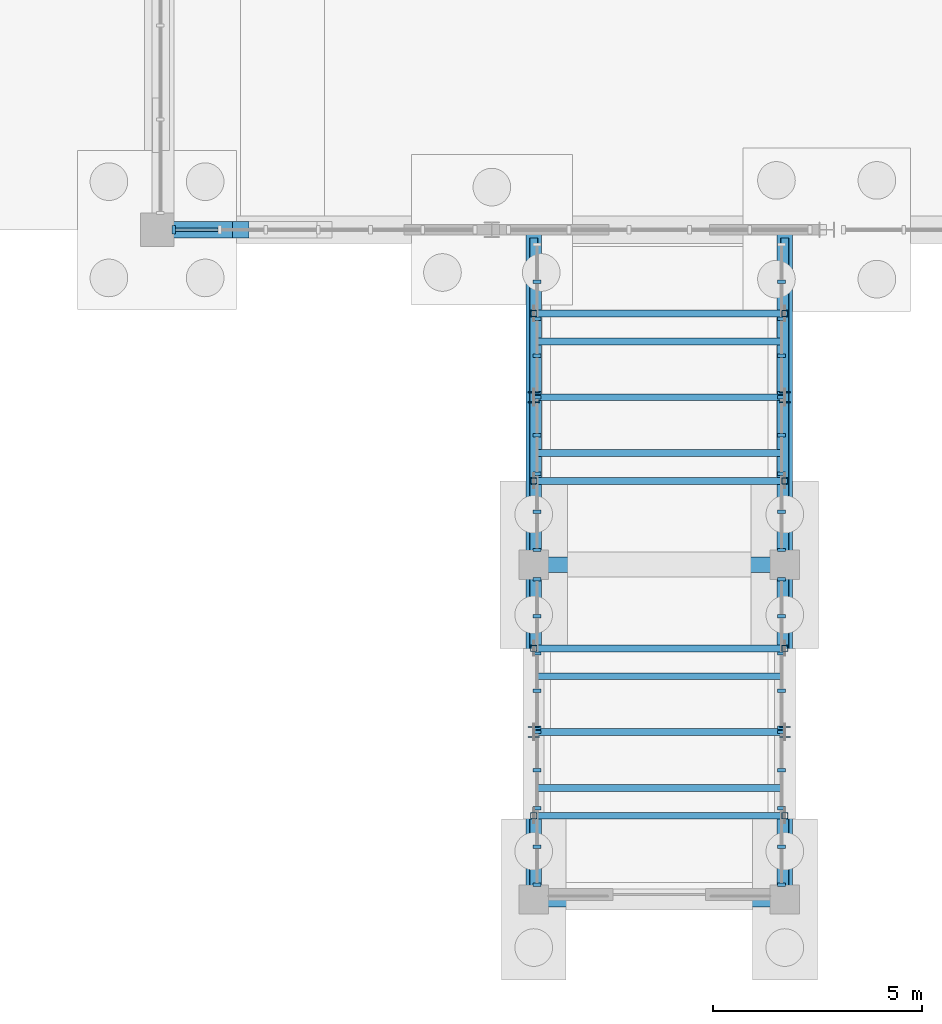
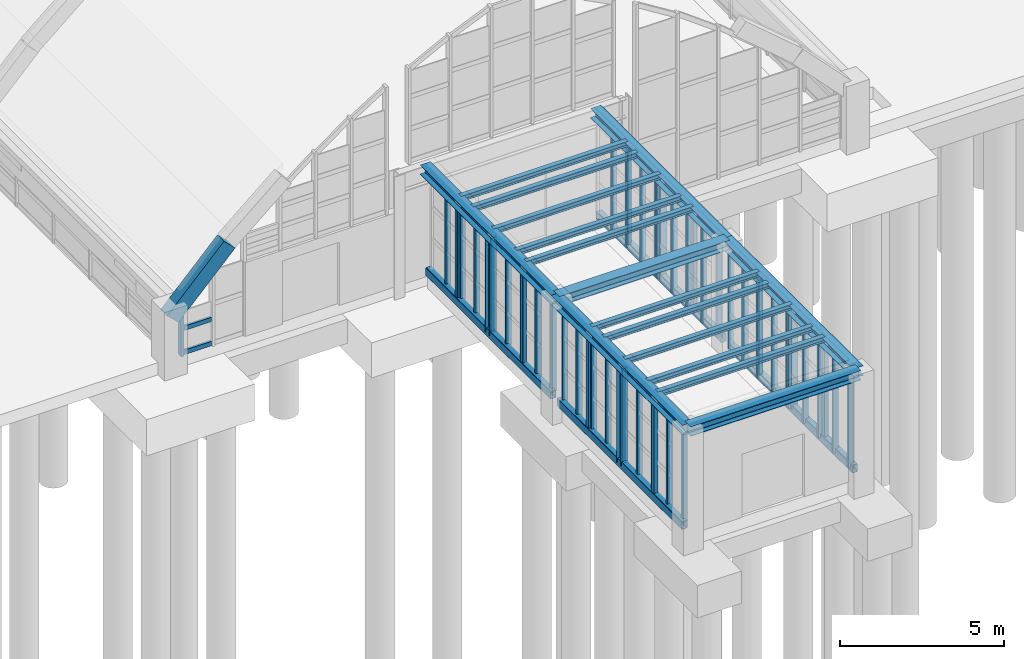
# One storey, part 33 of 129: 63 members, 11 beams, 9 elements without a shape of their own.
"""IFC4 building model written with IfcOpenShell, lengths in metres."""

from ifc_helpers import new_model, si_unit, direction, frame, origin, origin_2d, place, context, subcontext, project, spatial, rectangle, hollow_rectangle, i_section, extrude, material, layer, layer_set, material_profile, profile_set, type_object, element, aggregate, save


model = new_model("IFC4")

# Units and contexts
model_context = context("Model", 3, precision=1e-05, world=origin(), true_north=direction((0.0, 1.0)))
body_context = subcontext(model_context, "Body", "Model", "MODEL_VIEW")
ifc_project = project(units=[si_unit("LENGTHUNIT", "METRE"), si_unit("AREAUNIT", "SQUARE_METRE"), si_unit("VOLUMEUNIT", "CUBIC_METRE"), si_unit("PLANEANGLEUNIT", "RADIAN"), si_unit("MASSUNIT", "GRAM", prefix="KILO")], contexts=[model_context])

# Site, building, storey
site_placement = place(None, origin())
site = spatial("IfcSite", under=ifc_project, at=site_placement, CompositionType="ELEMENT")
building_placement = place(site_placement, origin())
building = spatial("IfcBuilding", under=site, at=building_placement, Name="Sitalva Quay Ferry Terminal", CompositionType="ELEMENT")
storey_placement = place(building_placement, origin())
storey = spatial("IfcBuildingStorey", under=building, at=storey_placement, Name="L01", CompositionType="ELEMENT", Elevation=0.0)

# Beams
ifc_material_1 = material(Name="Concrete C40/50", Category="concrete")
ifc_material_profile_1 = material_profile(ifc_material_1, rectangle(XDim=0.39990234375, YDim=0.550048828125, at=origin_2d()), Name="RC400x550")
ifc_profile_set_1 = profile_set([ifc_material_profile_1], Name="Concrete C40/50")
beam_type_1 = type_object("IfcBeamType", Name="Beam_Arch_RC400x550", PredefinedType="BEAM", material=ifc_profile_set_1)
beam_placement = place(storey_placement, frame((8.0, 6.0, 1.594482421875), z_axis=(0.693983482825, 0.0, 0.719990920475), x_axis=(0.0, 1.0, 0.0)))
element("IfcBeam", 1, at=beam_placement, inside=storey, type_object=beam_type_1, Name="Vault V2 transverse arch rib 1.1", PredefinedType="BEAM", context=body_context, shape_type="SweptSolid", body=[
    extrude(rectangle(XDim=0.39990234375, YDim=0.550048828125, at=origin_2d()), origin(), (0.0, 0.0, 1.0), 2.8818359375),
])
ifc_material_2 = material(Name="Structural Steel S355JR", Category="steel")
ifc_material_profile_2 = material_profile(ifc_material_2, i_section(OverallWidth=0.368896484375, OverallDepth=0.35595703125, WebThickness=0.01123046875, FlangeThickness=0.01806640625, FilletRadius=0.014892578125, at=origin_2d()), Name="W360x134")
ifc_profile_set_2 = profile_set([ifc_material_profile_2], Name="Structural Steel S355JR")
beam_type_2 = type_object("IfcBeamType", Name="Beam_W360x134", PredefinedType="BEAM", material=ifc_profile_set_2)
for number, where, z_axis, x_axis, name in (
    (2, (17.0, -10.0, 3.951904296875), (1.0, 0.0, 0.0), (0.0, 1.0, 0.0), "L01 Primary X girder 0005"),
    (3, (17.0, -2.0, 3.951904296875), (1.0, 0.0, 0.0), (0.0, 1.0, 0.0), "L01 Primary X girder 0006"),
):
    element("IfcBeam", number, at=place(storey_placement, frame(where, z_axis=z_axis, x_axis=x_axis)), inside=storey, type_object=beam_type_2, Name=name, PredefinedType="BEAM", context=body_context, shape_type="SweptSolid", body=[
        extrude(i_section(OverallWidth=0.368896484375, OverallDepth=0.35595703125, WebThickness=0.01123046875, FlangeThickness=0.01806640625, FilletRadius=0.014892578125, at=origin_2d()), origin(), (0.0, 0.0, 1.0), 6.0),
    ])
for number, where, z_axis, x_axis, name in (
    (4, (17.0, -10.0, 3.951904296875), (0.0, 1.0, 0.0), (-1.0, 0.0, 0.0), "L01 Primary Y girder 0007"),
    (5, (17.0, -2.0, 3.951904296875), (0.0, 1.0, 0.0), (-1.0, 0.0, 0.0), "L01 Primary Y girder 0008"),
    (6, (23.0, -10.0, 3.951904296875), (0.0, 1.0, 0.0), (-1.0, 0.0, 0.0), "L01 Primary Y girder 0009"),
    (7, (23.0, -2.0, 3.951904296875), (0.0, 1.0, 0.0), (-1.0, 0.0, 0.0), "L01 Primary Y girder 0010"),
):
    element("IfcBeam", number, at=place(storey_placement, frame(where, z_axis=z_axis, x_axis=x_axis)), inside=storey, type_object=beam_type_2, Name=name, PredefinedType="BEAM", context=body_context, shape_type="SweptSolid", body=[
        extrude(i_section(OverallWidth=0.368896484375, OverallDepth=0.35595703125, WebThickness=0.01123046875, FlangeThickness=0.01806640625, FilletRadius=0.014892578125, at=origin_2d()), origin(), (0.0, 0.0, 1.0), 8.0),
    ])

# Members
ifc_material_3 = material(Name="Structural Steel S355JR", Category="steel")
ifc_material_profile_3 = material_profile(ifc_material_3, hollow_rectangle(XDim=0.199951171875, YDim=0.300048828125, WallThickness=0.012451171875, InnerFilletRadius=0.012451171875, OuterFilletRadius=0.02490234375, at=origin_2d()), Name="RHS300x200x12.5")
ifc_profile_set_3 = profile_set([ifc_material_profile_3], Name="Structural Steel S355JR")
member_type_1 = type_object("IfcMemberType", Name="Chord_RHS300x200", PredefinedType="CHORD", material=ifc_profile_set_3)
for number, where, z_axis, x_axis, name in (
    (8, (17.0, -9.800048828125, 0.25), (0.0, 1.0, 0.0), (-1.0, 0.0, 0.0), "Boarding bridge BB1 bottom chord W1"),
    (9, (17.0, -1.800048828125, 0.25), (0.0, 1.0, 0.0), (-1.0, 0.0, 0.0), "Boarding bridge BB1 bottom chord W2"),
    (10, (23.0, -9.800048828125, 0.25), (0.0, 1.0, 0.0), (-1.0, 0.0, 0.0), "Boarding bridge BB1 bottom chord E1"),
    (11, (23.0, -1.800048828125, 0.25), (0.0, 1.0, 0.0), (-1.0, 0.0, 0.0), "Boarding bridge BB1 bottom chord E2"),
):
    element("IfcMember", number, at=place(storey_placement, frame(where, z_axis=z_axis, x_axis=x_axis)), inside=storey, type_object=member_type_1, Name=name, PredefinedType="CHORD", context=body_context, shape_type="SweptSolid", body=[
        extrude(hollow_rectangle(XDim=0.199951171875, YDim=0.300048828125, WallThickness=0.012451171875, InnerFilletRadius=0.012451171875, OuterFilletRadius=0.02490234375, at=origin_2d()), origin(), (0.0, 0.0, 1.0), 7.60009765625),
    ])
ifc_material_4 = material(Name="Structural Steel S355JR", Category="steel")
ifc_material_profile_4 = material_profile(ifc_material_4, i_section(OverallWidth=0.25390625, OverallDepth=0.2529296875, WebThickness=0.008544921875, FlangeThickness=0.01416015625, FilletRadius=0.011962890625, at=origin_2d()), Name="W250x73")
ifc_profile_set_4 = profile_set([ifc_material_profile_4], Name="Structural Steel S355JR")
member_type_2 = type_object("IfcMemberType", Name="Chord_W250x73", PredefinedType="CHORD", material=ifc_profile_set_4)
for number, where, z_axis, x_axis, name in (
    (12, (17.0, -6.0, 0.25), (0.0, 0.0, 1.0), (1.0, 0.0, 0.0), "Boarding bridge BB1 post W1"),
    (13, (17.0, 2.0, 0.25), (0.0, 0.0, 1.0), (1.0, 0.0, 0.0), "Boarding bridge BB1 post W2"),
    (14, (23.0, -6.0, 0.25), (0.0, 0.0, 1.0), (1.0, 0.0, 0.0), "Boarding bridge BB1 post E1"),
    (15, (23.0, 2.0, 0.25), (0.0, 0.0, 1.0), (1.0, 0.0, 0.0), "Boarding bridge BB1 post E2"),
):
    element("IfcMember", number, at=place(storey_placement, frame(where, z_axis=z_axis, x_axis=x_axis)), inside=storey, type_object=member_type_2, Name=name, PredefinedType="CHORD", context=body_context, shape_type="SweptSolid", body=[
        extrude(i_section(OverallWidth=0.25390625, OverallDepth=0.2529296875, WebThickness=0.008544921875, FlangeThickness=0.01416015625, FilletRadius=0.011962890625, at=origin_2d()), origin(), (0.0, 0.0, 1.0), 3.530029296875),
    ])

# Beams
ifc_material_5 = material(Name="Structural Steel S355JR", Category="steel")
ifc_material_profile_5 = material_profile(ifc_material_5, i_section(OverallWidth=0.1650390625, OverallDepth=0.200927734375, WebThickness=0.006103515625, FlangeThickness=0.01025390625, FilletRadius=0.010009765625, at=origin_2d()), Name="W200x36")
ifc_profile_set_5 = profile_set([ifc_material_profile_5], Name="Structural Steel S355JR")
beam_type_3 = type_object("IfcBeamType", Name="Joist_W200x36", PredefinedType="JOIST", material=ifc_profile_set_5)
for number, where, z_axis, x_axis, name in (
    (16, (17.10009765625, -7.333251953125, 4.029541015625), (1.0, 0.0, 0.0), (0.0, 1.0, 0.0), "L01 Secondary joist 0011"),
    (17, (17.10009765625, -4.666748046875, 4.029541015625), (1.0, 0.0, 0.0), (0.0, 1.0, 0.0), "L01 Secondary joist 0012"),
    (18, (17.10009765625, 0.666748046875, 4.029541015625), (1.0, 0.0, 0.0), (0.0, 1.0, 0.0), "L01 Secondary joist 0013"),
    (19, (17.10009765625, 3.333251953125, 4.029541015625), (1.0, 0.0, 0.0), (0.0, 1.0, 0.0), "L01 Secondary joist 0014"),
):
    element("IfcBeam", number, at=place(storey_placement, frame(where, z_axis=z_axis, x_axis=x_axis)), inside=storey, type_object=beam_type_3, Name=name, PredefinedType="JOIST", context=body_context, shape_type="SweptSolid", body=[
        extrude(i_section(OverallWidth=0.1650390625, OverallDepth=0.200927734375, WebThickness=0.006103515625, FlangeThickness=0.01025390625, FilletRadius=0.010009765625, at=origin_2d()), origin(), (0.0, 0.0, 1.0), 5.7998046875),
    ])

# Curtain wall, members
ifc_material_6 = material(Name="Anodised Aluminium & Low-E Glazing", Category="aluminium")
ifc_layer_1 = layer(ifc_material_6, 0.159912109375)
ifc_layer_set_1 = layer_set([ifc_layer_1], Name="Anodised Aluminium & Low-E Glazing")
curtain_wall_type_1 = type_object("IfcCurtainWallType", Name="CW_Bridge_Glazed", PredefinedType="USERDEFINED", material=ifc_layer_set_1)
curtain_wall_1_placement = place(storey_placement, origin())
curtain_wall_1 = element("IfcCurtainWall", 20, at=curtain_wall_1_placement, inside=storey, type_object=curtain_wall_type_1, Name="Boarding bridge BB1 W1 side glazing (CW-L01-033)", ObjectType="CURTAIN_WALL", PredefinedType="USERDEFINED")
ifc_material_7 = material(Name="Anodised Aluminium 6063-T6", Category="aluminium")
ifc_material_profile_6 = material_profile(ifc_material_7, rectangle(XDim=0.080078125, YDim=0.18505859375, at=origin_2d()), Name="ALU80x185")
ifc_profile_set_6 = profile_set([ifc_material_profile_6], Name="Anodised Aluminium 6063-T6")
member_type_3 = type_object("IfcMemberType", Name="Mullion_Alu_80x185", PredefinedType="MULLION", material=ifc_profile_set_6)
member_1_placement = place(storey_placement, frame((17.080078125, -9.64990234375, 0.25), z_axis=(0.0, 0.0, 1.0), x_axis=(0.0, 1.0, 0.0)))
member_1 = element("IfcMember", 21, at=member_1_placement, type_object=member_type_3, Name="CW-L01-033-M0", PredefinedType="MULLION", context=body_context, shape_type="SweptSolid", body=[
    extrude(rectangle(XDim=0.080078125, YDim=0.18505859375, at=origin_2d()), origin(), (0.0, 0.0, 1.0), 3.530029296875),
])
member_2_placement = place(storey_placement, frame((17.080078125, -8.737548828125, 0.25), z_axis=(0.0, 0.0, 1.0), x_axis=(0.0, 1.0, 0.0)))
member_2 = element("IfcMember", 22, at=member_2_placement, type_object=member_type_3, Name="CW-L01-033-M1", PredefinedType="MULLION", context=body_context, shape_type="SweptSolid", body=[
    extrude(rectangle(XDim=0.080078125, YDim=0.18505859375, at=origin_2d()), origin(), (0.0, 0.0, 1.0), 3.530029296875),
])
member_3_placement = place(storey_placement, frame((17.080078125, -7.824951171875, 0.25), z_axis=(0.0, 0.0, 1.0), x_axis=(0.0, 1.0, 0.0)))
member_3 = element("IfcMember", 23, at=member_3_placement, type_object=member_type_3, Name="CW-L01-033-M2", PredefinedType="MULLION", context=body_context, shape_type="SweptSolid", body=[
    extrude(rectangle(XDim=0.080078125, YDim=0.18505859375, at=origin_2d()), origin(), (0.0, 0.0, 1.0), 3.530029296875),
])
member_4_placement = place(storey_placement, frame((17.080078125, -6.91259765625, 0.25), z_axis=(0.0, 0.0, 1.0), x_axis=(0.0, 1.0, 0.0)))
member_4 = element("IfcMember", 24, at=member_4_placement, type_object=member_type_3, Name="CW-L01-033-M3", PredefinedType="MULLION", context=body_context, shape_type="SweptSolid", body=[
    extrude(rectangle(XDim=0.080078125, YDim=0.18505859375, at=origin_2d()), origin(), (0.0, 0.0, 1.0), 3.530029296875),
])
member_5_placement = place(storey_placement, frame((17.080078125, -6.0, 0.25), z_axis=(0.0, 0.0, 1.0), x_axis=(0.0, 1.0, 0.0)))
member_5 = element("IfcMember", 25, at=member_5_placement, type_object=member_type_3, Name="CW-L01-033-M4", PredefinedType="MULLION", context=body_context, shape_type="SweptSolid", body=[
    extrude(rectangle(XDim=0.080078125, YDim=0.18505859375, at=origin_2d()), origin(), (0.0, 0.0, 1.0), 3.530029296875),
])
aggregate(curtain_wall_1, [member_1, member_2, member_3, member_4, member_5])

curtain_wall_2_placement = place(storey_placement, origin())
curtain_wall_2 = element("IfcCurtainWall", 26, at=curtain_wall_2_placement, inside=storey, type_object=curtain_wall_type_1, Name="Boarding bridge BB1 W2 side glazing (CW-L01-034)", ObjectType="CURTAIN_WALL", PredefinedType="USERDEFINED")
member_6_placement = place(storey_placement, frame((17.080078125, -5.89990234375, 0.25), z_axis=(0.0, 0.0, 1.0), x_axis=(0.0, 1.0, 0.0)))
member_6 = element("IfcMember", 27, at=member_6_placement, type_object=member_type_3, Name="CW-L01-034-M0", PredefinedType="MULLION", context=body_context, shape_type="SweptSolid", body=[
    extrude(rectangle(XDim=0.080078125, YDim=0.18505859375, at=origin_2d()), origin(), (0.0, 0.0, 1.0), 3.530029296875),
])
member_7_placement = place(storey_placement, frame((17.080078125, -5.012451171875, 0.25), z_axis=(0.0, 0.0, 1.0), x_axis=(0.0, 1.0, 0.0)))
member_7 = element("IfcMember", 28, at=member_7_placement, type_object=member_type_3, Name="CW-L01-034-M1", PredefinedType="MULLION", context=body_context, shape_type="SweptSolid", body=[
    extrude(rectangle(XDim=0.080078125, YDim=0.18505859375, at=origin_2d()), origin(), (0.0, 0.0, 1.0), 3.530029296875),
])
member_8_placement = place(storey_placement, frame((17.080078125, -4.125, 0.25), z_axis=(0.0, 0.0, 1.0), x_axis=(0.0, 1.0, 0.0)))
member_8 = element("IfcMember", 29, at=member_8_placement, type_object=member_type_3, Name="CW-L01-034-M2", PredefinedType="MULLION", context=body_context, shape_type="SweptSolid", body=[
    extrude(rectangle(XDim=0.080078125, YDim=0.18505859375, at=origin_2d()), origin(), (0.0, 0.0, 1.0), 3.530029296875),
])
member_9_placement = place(storey_placement, frame((17.080078125, -3.237548828125, 0.25), z_axis=(0.0, 0.0, 1.0), x_axis=(0.0, 1.0, 0.0)))
member_9 = element("IfcMember", 30, at=member_9_placement, type_object=member_type_3, Name="CW-L01-034-M3", PredefinedType="MULLION", context=body_context, shape_type="SweptSolid", body=[
    extrude(rectangle(XDim=0.080078125, YDim=0.18505859375, at=origin_2d()), origin(), (0.0, 0.0, 1.0), 3.530029296875),
])
member_10_placement = place(storey_placement, frame((17.080078125, -2.35009765625, 0.25), z_axis=(0.0, 0.0, 1.0), x_axis=(0.0, 1.0, 0.0)))
member_10 = element("IfcMember", 31, at=member_10_placement, type_object=member_type_3, Name="CW-L01-034-M4", PredefinedType="MULLION", context=body_context, shape_type="SweptSolid", body=[
    extrude(rectangle(XDim=0.080078125, YDim=0.18505859375, at=origin_2d()), origin(), (0.0, 0.0, 1.0), 3.530029296875),
])
aggregate(curtain_wall_2, [member_6, member_7, member_8, member_9, member_10])

curtain_wall_3_placement = place(storey_placement, origin())
curtain_wall_3 = element("IfcCurtainWall", 32, at=curtain_wall_3_placement, inside=storey, type_object=curtain_wall_type_1, Name="Boarding bridge BB1 W3 side glazing (CW-L01-035)", ObjectType="CURTAIN_WALL", PredefinedType="USERDEFINED")
member_11_placement = place(storey_placement, frame((17.080078125, -1.64990234375, 0.25), z_axis=(0.0, 0.0, 1.0), x_axis=(0.0, 1.0, 0.0)))
member_11 = element("IfcMember", 33, at=member_11_placement, type_object=member_type_3, Name="CW-L01-035-M0", PredefinedType="MULLION", context=body_context, shape_type="SweptSolid", body=[
    extrude(rectangle(XDim=0.080078125, YDim=0.18505859375, at=origin_2d()), origin(), (0.0, 0.0, 1.0), 3.530029296875),
])
member_12_placement = place(storey_placement, frame((17.080078125, -0.737548828125, 0.25), z_axis=(0.0, 0.0, 1.0), x_axis=(0.0, 1.0, 0.0)))
member_12 = element("IfcMember", 34, at=member_12_placement, type_object=member_type_3, Name="CW-L01-035-M1", PredefinedType="MULLION", context=body_context, shape_type="SweptSolid", body=[
    extrude(rectangle(XDim=0.080078125, YDim=0.18505859375, at=origin_2d()), origin(), (0.0, 0.0, 1.0), 3.530029296875),
])
member_13_placement = place(storey_placement, frame((17.080078125, 0.175048828125, 0.25), z_axis=(0.0, 0.0, 1.0), x_axis=(0.0, 1.0, 0.0)))
member_13 = element("IfcMember", 35, at=member_13_placement, type_object=member_type_3, Name="CW-L01-035-M2", PredefinedType="MULLION", context=body_context, shape_type="SweptSolid", body=[
    extrude(rectangle(XDim=0.080078125, YDim=0.18505859375, at=origin_2d()), origin(), (0.0, 0.0, 1.0), 3.530029296875),
])
member_14_placement = place(storey_placement, frame((17.080078125, 1.08740234375, 0.25), z_axis=(0.0, 0.0, 1.0), x_axis=(0.0, 1.0, 0.0)))
member_14 = element("IfcMember", 36, at=member_14_placement, type_object=member_type_3, Name="CW-L01-035-M3", PredefinedType="MULLION", context=body_context, shape_type="SweptSolid", body=[
    extrude(rectangle(XDim=0.080078125, YDim=0.18505859375, at=origin_2d()), origin(), (0.0, 0.0, 1.0), 3.530029296875),
])
member_15_placement = place(storey_placement, frame((17.080078125, 2.0, 0.25), z_axis=(0.0, 0.0, 1.0), x_axis=(0.0, 1.0, 0.0)))
member_15 = element("IfcMember", 37, at=member_15_placement, type_object=member_type_3, Name="CW-L01-035-M4", PredefinedType="MULLION", context=body_context, shape_type="SweptSolid", body=[
    extrude(rectangle(XDim=0.080078125, YDim=0.18505859375, at=origin_2d()), origin(), (0.0, 0.0, 1.0), 3.530029296875),
])
aggregate(curtain_wall_3, [member_11, member_12, member_13, member_14, member_15])

curtain_wall_4_placement = place(storey_placement, origin())
curtain_wall_4 = element("IfcCurtainWall", 38, at=curtain_wall_4_placement, inside=storey, type_object=curtain_wall_type_1, Name="Boarding bridge BB1 W4 side glazing (CW-L01-036)", ObjectType="CURTAIN_WALL", PredefinedType="USERDEFINED")
member_16_placement = place(storey_placement, frame((17.080078125, 2.10009765625, 0.25), z_axis=(0.0, 0.0, 1.0), x_axis=(0.0, 1.0, 0.0)))
member_16 = element("IfcMember", 39, at=member_16_placement, type_object=member_type_3, Name="CW-L01-036-M0", PredefinedType="MULLION", context=body_context, shape_type="SweptSolid", body=[
    extrude(rectangle(XDim=0.080078125, YDim=0.18505859375, at=origin_2d()), origin(), (0.0, 0.0, 1.0), 3.530029296875),
])
member_17_placement = place(storey_placement, frame((17.080078125, 2.987548828125, 0.25), z_axis=(0.0, 0.0, 1.0), x_axis=(0.0, 1.0, 0.0)))
member_17 = element("IfcMember", 40, at=member_17_placement, type_object=member_type_3, Name="CW-L01-036-M1", PredefinedType="MULLION", context=body_context, shape_type="SweptSolid", body=[
    extrude(rectangle(XDim=0.080078125, YDim=0.18505859375, at=origin_2d()), origin(), (0.0, 0.0, 1.0), 3.530029296875),
])
member_18_placement = place(storey_placement, frame((17.080078125, 3.875, 0.25), z_axis=(0.0, 0.0, 1.0), x_axis=(0.0, 1.0, 0.0)))
member_18 = element("IfcMember", 41, at=member_18_placement, type_object=member_type_3, Name="CW-L01-036-M2", PredefinedType="MULLION", context=body_context, shape_type="SweptSolid", body=[
    extrude(rectangle(XDim=0.080078125, YDim=0.18505859375, at=origin_2d()), origin(), (0.0, 0.0, 1.0), 3.530029296875),
])
member_19_placement = place(storey_placement, frame((17.080078125, 4.762451171875, 0.25), z_axis=(0.0, 0.0, 1.0), x_axis=(0.0, 1.0, 0.0)))
member_19 = element("IfcMember", 42, at=member_19_placement, type_object=member_type_3, Name="CW-L01-036-M3", PredefinedType="MULLION", context=body_context, shape_type="SweptSolid", body=[
    extrude(rectangle(XDim=0.080078125, YDim=0.18505859375, at=origin_2d()), origin(), (0.0, 0.0, 1.0), 3.530029296875),
])
aggregate(curtain_wall_4, [member_16, member_17, member_18, member_19])

curtain_wall_5_placement = place(storey_placement, origin())
curtain_wall_5 = element("IfcCurtainWall", 43, at=curtain_wall_5_placement, inside=storey, type_object=curtain_wall_type_1, Name="Boarding bridge BB1 E1 side glazing (CW-L01-037)", ObjectType="CURTAIN_WALL", PredefinedType="USERDEFINED")
member_20_placement = place(storey_placement, frame((22.919921875, -9.64990234375, 0.25), z_axis=(0.0, 0.0, 1.0), x_axis=(0.0, 1.0, 0.0)))
member_20 = element("IfcMember", 44, at=member_20_placement, type_object=member_type_3, Name="CW-L01-037-M0", PredefinedType="MULLION", context=body_context, shape_type="SweptSolid", body=[
    extrude(rectangle(XDim=0.080078125, YDim=0.18505859375, at=origin_2d()), origin(), (0.0, 0.0, 1.0), 3.530029296875),
])
member_21_placement = place(storey_placement, frame((22.919921875, -8.737548828125, 0.25), z_axis=(0.0, 0.0, 1.0), x_axis=(0.0, 1.0, 0.0)))
member_21 = element("IfcMember", 45, at=member_21_placement, type_object=member_type_3, Name="CW-L01-037-M1", PredefinedType="MULLION", context=body_context, shape_type="SweptSolid", body=[
    extrude(rectangle(XDim=0.080078125, YDim=0.18505859375, at=origin_2d()), origin(), (0.0, 0.0, 1.0), 3.530029296875),
])
member_22_placement = place(storey_placement, frame((22.919921875, -7.824951171875, 0.25), z_axis=(0.0, 0.0, 1.0), x_axis=(0.0, 1.0, 0.0)))
member_22 = element("IfcMember", 46, at=member_22_placement, type_object=member_type_3, Name="CW-L01-037-M2", PredefinedType="MULLION", context=body_context, shape_type="SweptSolid", body=[
    extrude(rectangle(XDim=0.080078125, YDim=0.18505859375, at=origin_2d()), origin(), (0.0, 0.0, 1.0), 3.530029296875),
])
member_23_placement = place(storey_placement, frame((22.919921875, -6.91259765625, 0.25), z_axis=(0.0, 0.0, 1.0), x_axis=(0.0, 1.0, 0.0)))
member_23 = element("IfcMember", 47, at=member_23_placement, type_object=member_type_3, Name="CW-L01-037-M3", PredefinedType="MULLION", context=body_context, shape_type="SweptSolid", body=[
    extrude(rectangle(XDim=0.080078125, YDim=0.18505859375, at=origin_2d()), origin(), (0.0, 0.0, 1.0), 3.530029296875),
])
member_24_placement = place(storey_placement, frame((22.919921875, -6.0, 0.25), z_axis=(0.0, 0.0, 1.0), x_axis=(0.0, 1.0, 0.0)))
member_24 = element("IfcMember", 48, at=member_24_placement, type_object=member_type_3, Name="CW-L01-037-M4", PredefinedType="MULLION", context=body_context, shape_type="SweptSolid", body=[
    extrude(rectangle(XDim=0.080078125, YDim=0.18505859375, at=origin_2d()), origin(), (0.0, 0.0, 1.0), 3.530029296875),
])
aggregate(curtain_wall_5, [member_20, member_21, member_22, member_23, member_24])

curtain_wall_6_placement = place(storey_placement, origin())
curtain_wall_6 = element("IfcCurtainWall", 49, at=curtain_wall_6_placement, inside=storey, type_object=curtain_wall_type_1, Name="Boarding bridge BB1 E2 side glazing (CW-L01-038)", ObjectType="CURTAIN_WALL", PredefinedType="USERDEFINED")
member_25_placement = place(storey_placement, frame((22.919921875, -5.89990234375, 0.25), z_axis=(0.0, 0.0, 1.0), x_axis=(0.0, 1.0, 0.0)))
member_25 = element("IfcMember", 50, at=member_25_placement, type_object=member_type_3, Name="CW-L01-038-M0", PredefinedType="MULLION", context=body_context, shape_type="SweptSolid", body=[
    extrude(rectangle(XDim=0.080078125, YDim=0.18505859375, at=origin_2d()), origin(), (0.0, 0.0, 1.0), 3.530029296875),
])
member_26_placement = place(storey_placement, frame((22.919921875, -5.012451171875, 0.25), z_axis=(0.0, 0.0, 1.0), x_axis=(0.0, 1.0, 0.0)))
member_26 = element("IfcMember", 51, at=member_26_placement, type_object=member_type_3, Name="CW-L01-038-M1", PredefinedType="MULLION", context=body_context, shape_type="SweptSolid", body=[
    extrude(rectangle(XDim=0.080078125, YDim=0.18505859375, at=origin_2d()), origin(), (0.0, 0.0, 1.0), 3.530029296875),
])
member_27_placement = place(storey_placement, frame((22.919921875, -4.125, 0.25), z_axis=(0.0, 0.0, 1.0), x_axis=(0.0, 1.0, 0.0)))
member_27 = element("IfcMember", 52, at=member_27_placement, type_object=member_type_3, Name="CW-L01-038-M2", PredefinedType="MULLION", context=body_context, shape_type="SweptSolid", body=[
    extrude(rectangle(XDim=0.080078125, YDim=0.18505859375, at=origin_2d()), origin(), (0.0, 0.0, 1.0), 3.530029296875),
])
member_28_placement = place(storey_placement, frame((22.919921875, -3.237548828125, 0.25), z_axis=(0.0, 0.0, 1.0), x_axis=(0.0, 1.0, 0.0)))
member_28 = element("IfcMember", 53, at=member_28_placement, type_object=member_type_3, Name="CW-L01-038-M3", PredefinedType="MULLION", context=body_context, shape_type="SweptSolid", body=[
    extrude(rectangle(XDim=0.080078125, YDim=0.18505859375, at=origin_2d()), origin(), (0.0, 0.0, 1.0), 3.530029296875),
])
member_29_placement = place(storey_placement, frame((22.919921875, -2.35009765625, 0.25), z_axis=(0.0, 0.0, 1.0), x_axis=(0.0, 1.0, 0.0)))
member_29 = element("IfcMember", 54, at=member_29_placement, type_object=member_type_3, Name="CW-L01-038-M4", PredefinedType="MULLION", context=body_context, shape_type="SweptSolid", body=[
    extrude(rectangle(XDim=0.080078125, YDim=0.18505859375, at=origin_2d()), origin(), (0.0, 0.0, 1.0), 3.530029296875),
])
aggregate(curtain_wall_6, [member_25, member_26, member_27, member_28, member_29])

curtain_wall_7_placement = place(storey_placement, origin())
curtain_wall_7 = element("IfcCurtainWall", 55, at=curtain_wall_7_placement, inside=storey, type_object=curtain_wall_type_1, Name="Boarding bridge BB1 E3 side glazing (CW-L01-039)", ObjectType="CURTAIN_WALL", PredefinedType="USERDEFINED")
member_30_placement = place(storey_placement, frame((22.919921875, -1.64990234375, 0.25), z_axis=(0.0, 0.0, 1.0), x_axis=(0.0, 1.0, 0.0)))
member_30 = element("IfcMember", 56, at=member_30_placement, type_object=member_type_3, Name="CW-L01-039-M0", PredefinedType="MULLION", context=body_context, shape_type="SweptSolid", body=[
    extrude(rectangle(XDim=0.080078125, YDim=0.18505859375, at=origin_2d()), origin(), (0.0, 0.0, 1.0), 3.530029296875),
])
member_31_placement = place(storey_placement, frame((22.919921875, -0.737548828125, 0.25), z_axis=(0.0, 0.0, 1.0), x_axis=(0.0, 1.0, 0.0)))
member_31 = element("IfcMember", 57, at=member_31_placement, type_object=member_type_3, Name="CW-L01-039-M1", PredefinedType="MULLION", context=body_context, shape_type="SweptSolid", body=[
    extrude(rectangle(XDim=0.080078125, YDim=0.18505859375, at=origin_2d()), origin(), (0.0, 0.0, 1.0), 3.530029296875),
])
member_32_placement = place(storey_placement, frame((22.919921875, 0.175048828125, 0.25), z_axis=(0.0, 0.0, 1.0), x_axis=(0.0, 1.0, 0.0)))
member_32 = element("IfcMember", 58, at=member_32_placement, type_object=member_type_3, Name="CW-L01-039-M2", PredefinedType="MULLION", context=body_context, shape_type="SweptSolid", body=[
    extrude(rectangle(XDim=0.080078125, YDim=0.18505859375, at=origin_2d()), origin(), (0.0, 0.0, 1.0), 3.530029296875),
])
member_33_placement = place(storey_placement, frame((22.919921875, 1.08740234375, 0.25), z_axis=(0.0, 0.0, 1.0), x_axis=(0.0, 1.0, 0.0)))
member_33 = element("IfcMember", 59, at=member_33_placement, type_object=member_type_3, Name="CW-L01-039-M3", PredefinedType="MULLION", context=body_context, shape_type="SweptSolid", body=[
    extrude(rectangle(XDim=0.080078125, YDim=0.18505859375, at=origin_2d()), origin(), (0.0, 0.0, 1.0), 3.530029296875),
])
member_34_placement = place(storey_placement, frame((22.919921875, 2.0, 0.25), z_axis=(0.0, 0.0, 1.0), x_axis=(0.0, 1.0, 0.0)))
member_34 = element("IfcMember", 60, at=member_34_placement, type_object=member_type_3, Name="CW-L01-039-M4", PredefinedType="MULLION", context=body_context, shape_type="SweptSolid", body=[
    extrude(rectangle(XDim=0.080078125, YDim=0.18505859375, at=origin_2d()), origin(), (0.0, 0.0, 1.0), 3.530029296875),
])
aggregate(curtain_wall_7, [member_30, member_31, member_32, member_33, member_34])

curtain_wall_8_placement = place(storey_placement, origin())
curtain_wall_8 = element("IfcCurtainWall", 61, at=curtain_wall_8_placement, inside=storey, type_object=curtain_wall_type_1, Name="Boarding bridge BB1 E4 side glazing (CW-L01-040)", ObjectType="CURTAIN_WALL", PredefinedType="USERDEFINED")
member_35_placement = place(storey_placement, frame((22.919921875, 2.10009765625, 0.25), z_axis=(0.0, 0.0, 1.0), x_axis=(0.0, 1.0, 0.0)))
member_35 = element("IfcMember", 62, at=member_35_placement, type_object=member_type_3, Name="CW-L01-040-M0", PredefinedType="MULLION", context=body_context, shape_type="SweptSolid", body=[
    extrude(rectangle(XDim=0.080078125, YDim=0.18505859375, at=origin_2d()), origin(), (0.0, 0.0, 1.0), 3.530029296875),
])
member_36_placement = place(storey_placement, frame((22.919921875, 2.987548828125, 0.25), z_axis=(0.0, 0.0, 1.0), x_axis=(0.0, 1.0, 0.0)))
member_36 = element("IfcMember", 63, at=member_36_placement, type_object=member_type_3, Name="CW-L01-040-M1", PredefinedType="MULLION", context=body_context, shape_type="SweptSolid", body=[
    extrude(rectangle(XDim=0.080078125, YDim=0.18505859375, at=origin_2d()), origin(), (0.0, 0.0, 1.0), 3.530029296875),
])
member_37_placement = place(storey_placement, frame((22.919921875, 3.875, 0.25), z_axis=(0.0, 0.0, 1.0), x_axis=(0.0, 1.0, 0.0)))
member_37 = element("IfcMember", 64, at=member_37_placement, type_object=member_type_3, Name="CW-L01-040-M2", PredefinedType="MULLION", context=body_context, shape_type="SweptSolid", body=[
    extrude(rectangle(XDim=0.080078125, YDim=0.18505859375, at=origin_2d()), origin(), (0.0, 0.0, 1.0), 3.530029296875),
])
member_38_placement = place(storey_placement, frame((22.919921875, 4.762451171875, 0.25), z_axis=(0.0, 0.0, 1.0), x_axis=(0.0, 1.0, 0.0)))
member_38 = element("IfcMember", 65, at=member_38_placement, type_object=member_type_3, Name="CW-L01-040-M3", PredefinedType="MULLION", context=body_context, shape_type="SweptSolid", body=[
    extrude(rectangle(XDim=0.080078125, YDim=0.18505859375, at=origin_2d()), origin(), (0.0, 0.0, 1.0), 3.530029296875),
])
aggregate(curtain_wall_8, [member_35, member_36, member_37, member_38])

# Curtain wall, member
ifc_material_8 = material(Name="Anodised Aluminium & Low-E Glazing", Category="aluminium")
ifc_layer_2 = layer(ifc_material_8, 0.159912109375)
ifc_layer_set_2 = layer_set([ifc_layer_2], Name="Anodised Aluminium & Low-E Glazing")
curtain_wall_type_2 = type_object("IfcCurtainWallType", Name="CW_Gable_Unitised", PredefinedType="USERDEFINED", material=ifc_layer_set_2)
curtain_wall_9_placement = place(storey_placement, origin())
curtain_wall_9 = element("IfcCurtainWall", 66, at=curtain_wall_9_placement, inside=storey, type_object=curtain_wall_type_2, Name="V2 south gable west eaves glazing (CW-L01-001)", ObjectType="CURTAIN_WALL", PredefinedType="USERDEFINED")
ifc_material_9 = material(Name="Anodised Aluminium 6063-T6", Category="aluminium")
ifc_material_profile_7 = material_profile(ifc_material_9, rectangle(XDim=0.090087890625, YDim=0.199951171875, at=origin_2d()), Name="ALU90x200")
ifc_profile_set_7 = profile_set([ifc_material_profile_7], Name="Anodised Aluminium 6063-T6")
member_type_4 = type_object("IfcMemberType", Name="Mullion_Alu_90x200", PredefinedType="MULLION", material=ifc_profile_set_7)
member_39_placement = place(storey_placement, frame((8.39990234375, 6.0, 0.0), z_axis=(0.0, 0.0, 1.0), x_axis=(1.0, 0.0, 0.0)))
member_39 = element("IfcMember", 67, at=member_39_placement, type_object=member_type_4, Name="CW-L01-001-M0", PredefinedType="MULLION", context=body_context, shape_type="SweptSolid", body=[
    extrude(rectangle(XDim=0.090087890625, YDim=0.199951171875, at=origin_2d()), origin(), (0.0, 0.0, 1.0), 1.794921875),
])

# Members
ifc_material_10 = material(Name="Structural Steel S355JR", Category="steel")
ifc_material_profile_8 = material_profile(ifc_material_10, i_section(OverallWidth=0.1650390625, OverallDepth=0.200927734375, WebThickness=0.006103515625, FlangeThickness=0.01025390625, FilletRadius=0.010009765625, at=origin_2d()), Name="W200x36")
ifc_profile_set_8 = profile_set([ifc_material_profile_8], Name="Structural Steel S355JR")
member_type_5 = type_object("IfcMemberType", Name="Purlin_W200x36", PredefinedType="PURLIN", material=ifc_profile_set_8)
for number, where, z_axis, x_axis, name in (
    (68, (17.06005859375, -8.0, 4.029541015625), (1.0, 0.0, 0.0), (0.0, 1.0, 0.0), "Bridge BB1 parasol purlin at Y=-8.0"),
    (69, (17.06005859375, -6.0, 4.029541015625), (1.0, 0.0, 0.0), (0.0, 1.0, 0.0), "Bridge BB1 parasol purlin at Y=-6.0"),
    (70, (17.06005859375, -4.0, 4.029541015625), (1.0, 0.0, 0.0), (0.0, 1.0, 0.0), "Bridge BB1 parasol purlin at Y=-4.0"),
    (71, (17.06005859375, 0.0, 4.029541015625), (1.0, 0.0, 0.0), (0.0, 1.0, 0.0), "Bridge BB1 parasol purlin at Y=0.0"),
    (72, (17.06005859375, 2.0, 4.029541015625), (1.0, 0.0, 0.0), (0.0, 1.0, 0.0), "Bridge BB1 parasol purlin at Y=2.0"),
    (73, (17.06005859375, 4.0, 4.029541015625), (1.0, 0.0, 0.0), (0.0, 1.0, 0.0), "Bridge BB1 parasol purlin at Y=4.0"),
):
    element("IfcMember", number, at=place(storey_placement, frame(where, z_axis=z_axis, x_axis=x_axis)), inside=storey, type_object=member_type_5, Name=name, PredefinedType="PURLIN", context=body_context, shape_type="SweptSolid", body=[
        extrude(i_section(OverallWidth=0.1650390625, OverallDepth=0.200927734375, WebThickness=0.006103515625, FlangeThickness=0.01025390625, FilletRadius=0.010009765625, at=origin_2d()), origin(), (0.0, 0.0, 1.0), 5.8798828125),
    ])
ifc_material_11 = material(Name="Structural Steel S355JR", Category="steel")
ifc_material_profile_9 = material_profile(ifc_material_11, hollow_rectangle(XDim=0.14990234375, YDim=0.14990234375, WallThickness=0.008056640625, InnerFilletRadius=0.008056640625, OuterFilletRadius=0.01611328125, at=origin_2d()), Name="SHS150x150x8")
ifc_profile_set_9 = profile_set([ifc_material_profile_9], Name="Structural Steel S355JR")
member_type_6 = type_object("IfcMemberType", Name="Strut_SHS150x8", PredefinedType="STRUT", material=ifc_profile_set_9)
for number, where, z_axis, x_axis, name in (
    (74, (17.0, -8.0, 0.25), (0.0, 0.0, 1.0), (1.0, 0.0, 0.0), "Boarding bridge BB1 Vierendeel post W1A"),
    (75, (17.0, -4.0, 0.25), (0.0, 0.0, 1.0), (1.0, 0.0, 0.0), "Boarding bridge BB1 Vierendeel post W1B"),
    (76, (17.0, 0.0, 0.25), (0.0, 0.0, 1.0), (1.0, 0.0, 0.0), "Boarding bridge BB1 Vierendeel post W2A"),
    (77, (17.0, 4.0, 0.25), (0.0, 0.0, 1.0), (1.0, 0.0, 0.0), "Boarding bridge BB1 Vierendeel post W2B"),
    (78, (23.0, -8.0, 0.25), (0.0, 0.0, 1.0), (1.0, 0.0, 0.0), "Boarding bridge BB1 Vierendeel post E1A"),
    (79, (23.0, -4.0, 0.25), (0.0, 0.0, 1.0), (1.0, 0.0, 0.0), "Boarding bridge BB1 Vierendeel post E1B"),
    (80, (23.0, 0.0, 0.25), (0.0, 0.0, 1.0), (1.0, 0.0, 0.0), "Boarding bridge BB1 Vierendeel post E2A"),
    (81, (23.0, 4.0, 0.25), (0.0, 0.0, 1.0), (1.0, 0.0, 0.0), "Boarding bridge BB1 Vierendeel post E2B"),
):
    element("IfcMember", number, at=place(storey_placement, frame(where, z_axis=z_axis, x_axis=x_axis)), inside=storey, type_object=member_type_6, Name=name, PredefinedType="STRUT", context=body_context, shape_type="SweptSolid", body=[
        extrude(hollow_rectangle(XDim=0.14990234375, YDim=0.14990234375, WallThickness=0.008056640625, InnerFilletRadius=0.008056640625, OuterFilletRadius=0.01611328125, at=origin_2d()), origin(), (0.0, 0.0, 1.0), 3.530029296875),
    ])

# Member
ifc_material_12 = material(Name="Anodised Aluminium 6063-T6", Category="aluminium")
ifc_material_profile_10 = material_profile(ifc_material_12, rectangle(XDim=0.080078125, YDim=0.1650390625, at=origin_2d()), Name="ALU80x165")
ifc_profile_set_10 = profile_set([ifc_material_profile_10], Name="Anodised Aluminium 6063-T6")
member_type_7 = type_object("IfcMemberType", Name="Transom_Alu_80x165", PredefinedType="MULLION", material=ifc_profile_set_10)
member_40_placement = place(storey_placement, frame((8.445068359375, 6.0, 0.08251953125), z_axis=(1.0, 0.0, 0.0), x_axis=(0.0, 1.0, 0.0)))
member_40 = element("IfcMember", 82, at=member_40_placement, type_object=member_type_7, Name="CW-L01-001-T0-0", ObjectType="TRANSOM", PredefinedType="USERDEFINED", context=body_context, shape_type="SweptSolid", body=[
    extrude(rectangle(XDim=0.080078125, YDim=0.1650390625, at=origin_2d()), origin(), (0.0, 0.0, 1.0), 1.010009765625),
])

member_41_placement = place(storey_placement, frame((8.445068359375, 6.0, 0.97998046875), z_axis=(1.0, 0.0, 0.0), x_axis=(0.0, 1.0, 0.0)))
member_41 = element("IfcMember", 83, at=member_41_placement, type_object=member_type_7, Name="CW-L01-001-T0-1", ObjectType="TRANSOM", PredefinedType="USERDEFINED", context=body_context, shape_type="SweptSolid", body=[
    extrude(rectangle(XDim=0.080078125, YDim=0.1650390625, at=origin_2d()), origin(), (0.0, 0.0, 1.0), 1.010009765625),
])

aggregate(curtain_wall_9, [member_39, member_40, member_41])

save(model, "model.ifc")
